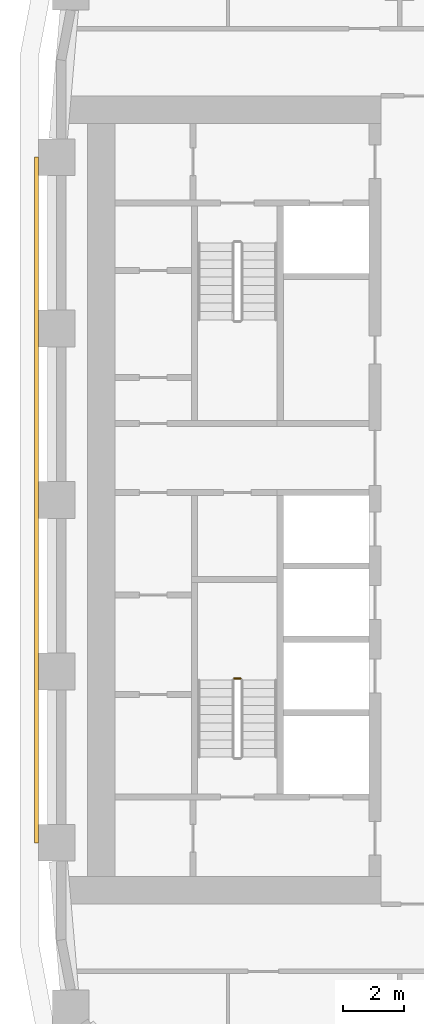
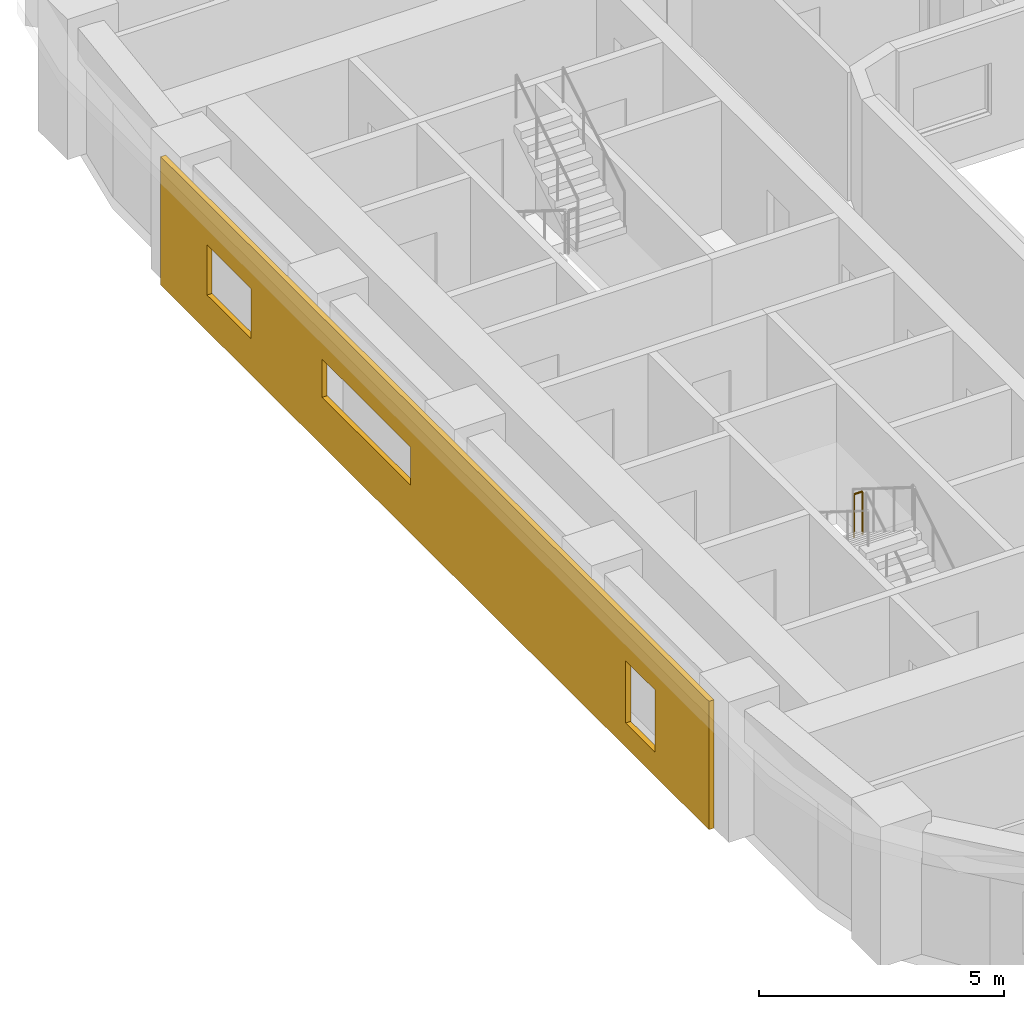
# One storey, part 13 of 21: 1 covering, 1 railing.
"""IFC4 building model written with IfcOpenShell, lengths in metres."""

from ifc_helpers import new_model, si_unit, direction, frame, origin, origin_2d, place, context, subcontext, project, spatial, polyline, circle, outline, extrude, material, layer, layer_set, type_object, element, save


model = new_model("IFC4")

# Units and contexts
model_context = context("Model", 3, precision=1e-05, world=origin(), true_north=direction((0.0, 1.0)))
body_context = subcontext(model_context, "Body", "Model", "MODEL_VIEW")
ifc_project = project(units=[si_unit("LENGTHUNIT", "METRE"), si_unit("AREAUNIT", "SQUARE_METRE"), si_unit("VOLUMEUNIT", "CUBIC_METRE"), si_unit("PLANEANGLEUNIT", "RADIAN"), si_unit("MASSUNIT", "GRAM", prefix="KILO")], contexts=[model_context])

# Site, building, storey
site_placement = place(None, origin())
site = spatial("IfcSite", under=ifc_project, at=site_placement, CompositionType="ELEMENT")
building_placement = place(site_placement, origin())
building = spatial("IfcBuilding", under=site, at=building_placement, Name="Kiln Ring Residences", CompositionType="ELEMENT")
storey_placement = place(building_placement, frame((0.0, 0.0, 114.800048828125)))
storey = spatial("IfcBuildingStorey", under=building, at=storey_placement, Name="L29", CompositionType="ELEMENT", Elevation=114.800048828125)

# Railing
ifc_material_1 = material(Name="Stainless steel", Category="steel")
railing_type = type_object("IfcRailingType", Name="CORE-STAIR-GUARD", PredefinedType="GUARDRAIL", material=ifc_material_1)
railing_placement = place(storey_placement, frame((-22.0, -5.830078125, 1.75)))
element("IfcRailing", 1, at=railing_placement, inside=storey, type_object=railing_type, Name="L29 W-STS stair guard 2", PredefinedType="GUARDRAIL", context=body_context, shape_type="SweptSolid", body=[
    extrude(circle(Radius=0.02392578125, at=origin_2d()), frame((0.0, 0.0, 1.076171875), z_axis=(-1.0, 0.0, 0.0), x_axis=(0.0, -1.0, 0.0)), (0.0, 0.0, 1.0), 0.199951171875),
    extrude(circle(Radius=0.02099609375, at=origin_2d()), origin(), (0.0, 0.0, 1.0), 1.052001953125),
    extrude(circle(Radius=0.02099609375, at=origin_2d()), frame((-0.199951171875, 0.0, 0.0)), (0.0, 0.0, 1.0), 1.052001953125),
])

# Covering
ifc_material_2 = material(Name="Brick masonry, dark clay brick", Category="masonry")
ifc_layer = layer(ifc_material_2, 0.1201171875)
ifc_layer_set = layer_set([ifc_layer], Name="RAINSCREEN PANEL 120")
covering_type = type_object("IfcCoveringType", Name="RAINSCREEN PANEL 120", PredefinedType="CLADDING", material=ifc_layer_set)
covering_placement = place(storey_placement, frame((-28.659912109375, 11.199951171875, 0.0), z_axis=(0.0, 0.0, 1.0), x_axis=(0.0, -1.0, 0.0)))
element("IfcCovering", 2, at=covering_placement, inside=storey, type_object=covering_type, Name="RAINSCREEN L29", PredefinedType="CLADDING", context=body_context, shape_type="SweptSolid", body=[
    extrude(outline(polyline([(0.0, 0.0), (22.39990234375, 0.0), (22.39990234375, 3.199951171875), (0.0, 3.199951171875), (0.0, 0.0)]), holes=[polyline([(20.199951171875, 2.14990234375), (19.0, 2.14990234375), (19.0, 0.599853515625), (20.199951171875, 0.599853515625), (20.199951171875, 2.14990234375)]), polyline([(3.699951171875, 0.89990234375), (3.699951171875, 2.14990234375), (1.89990234375, 2.14990234375), (1.89990234375, 0.89990234375), (3.699951171875, 0.89990234375)]), polyline([(10.199951171875, 1.199951171875), (10.199951171875, 2.14990234375), (6.60009765625, 2.14990234375), (6.60009765625, 1.199951171875), (10.199951171875, 1.199951171875)])]), frame((0.0, 0.06005859375, 0.0), z_axis=(0.0, -1.0, 0.0), x_axis=(1.0, 0.0, 0.0)), (0.0, 0.0, 1.0), 0.1201171875),
])

save(model, "model.ifc")
